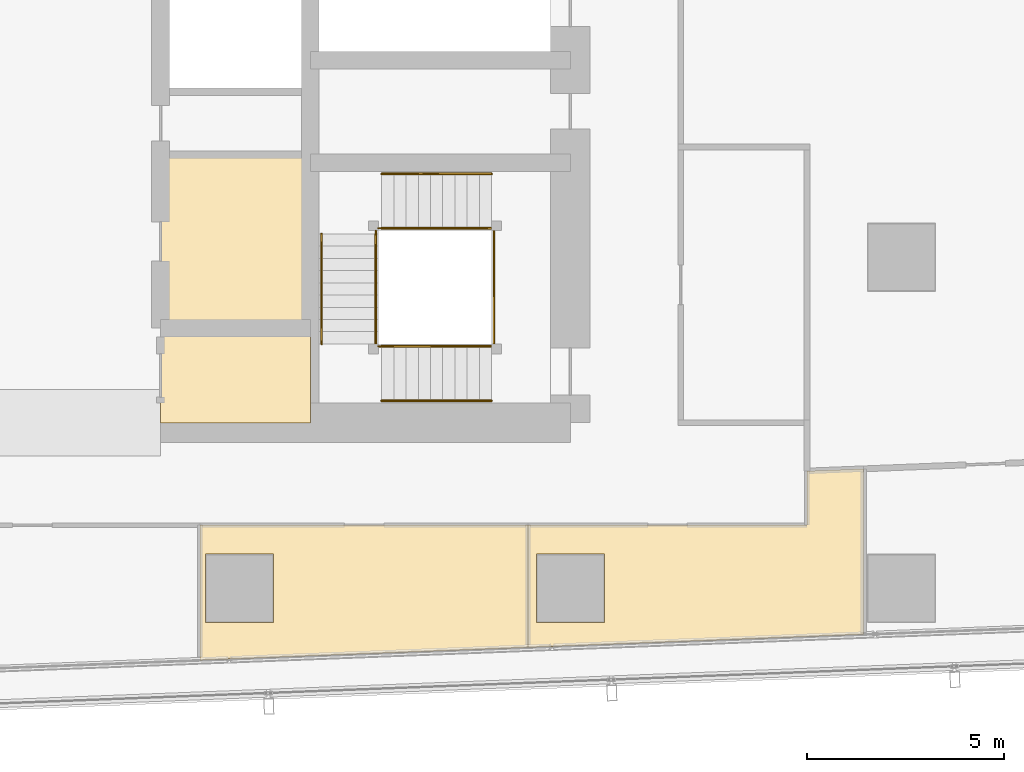
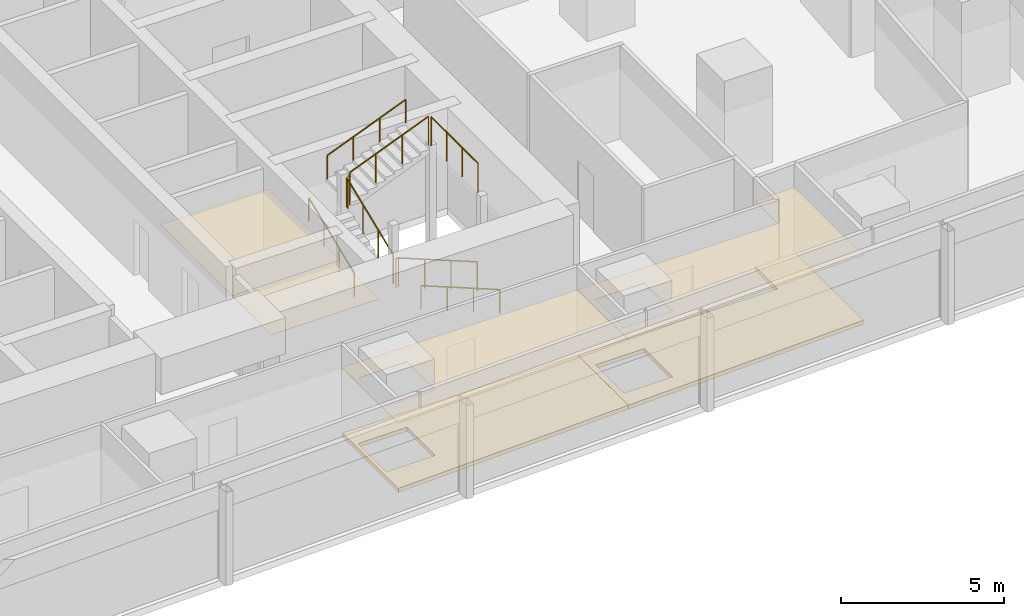
# One storey, part 37 of 40: 10 railings, 6 coverings.
"""IFC4 building model written with IfcOpenShell, lengths in metres."""

from ifc_helpers import new_model, si_unit, direction, frame, origin, origin_2d, place, context, subcontext, project, spatial, polyline, circle, outline, extrude, material, layer, layer_set, type_object, element, save


model = new_model("IFC4")

# Units and contexts
model_context = context("Model", 3, precision=1e-05, world=origin(), true_north=direction((0.0, 1.0)))
body_context = subcontext(model_context, "Body", "Model", "MODEL_VIEW")
ifc_project = project(units=[si_unit("LENGTHUNIT", "METRE"), si_unit("AREAUNIT", "SQUARE_METRE"), si_unit("VOLUMEUNIT", "CUBIC_METRE"), si_unit("PLANEANGLEUNIT", "RADIAN"), si_unit("MASSUNIT", "GRAM", prefix="KILO")], contexts=[model_context])

# Site, building, storey
site_placement = place(None, origin())
site = spatial("IfcSite", under=ifc_project, at=site_placement, CompositionType="ELEMENT")
building_placement = place(site_placement, origin())
building = spatial("IfcBuilding", under=site, at=building_placement, Name="Rekha Terrace Tower", CompositionType="ELEMENT")
storey_placement = place(building_placement, frame((0.0, 0.0, 121.550048828125)))
storey = spatial("IfcBuildingStorey", under=building, at=storey_placement, Name="L30", CompositionType="ELEMENT", Elevation=121.550048828125)

# Coverings
ifc_material_1 = material(Name="Mineral fibre tile in exposed grid", Category="finish")
ifc_layer_1 = layer(ifc_material_1, 0.02001953125)
ifc_layer_set_1 = layer_set([ifc_layer_1], Name="Mineral fibre tile in exposed grid")
covering_type_1 = type_object("IfcCoveringType", Name="CL1 600x1200 office grid ceiling", PredefinedType="CEILING", material=ifc_layer_set_1)
covering_1_placement = place(storey_placement, frame((0.0, 0.0, 2.579833984375)))
element("IfcCovering", 1, at=covering_1_placement, inside=storey, type_object=covering_type_1, Name="Ceiling L30-16", PredefinedType="CEILING", context=body_context, shape_type="SweptSolid", body=[
    extrude(outline(polyline([(41.001953125, 18.39990234375), (41.001953125, 14.970947265625), (49.3291015625, 15.294921875), (49.3291015625, 18.39990234375), (41.001953125, 18.39990234375)]), holes=[polyline([(42.864990234375, 17.6650390625), (42.864990234375, 15.93505859375), (41.135009765625, 15.93505859375), (41.135009765625, 17.6650390625), (42.864990234375, 17.6650390625)])]), origin(), (0.0, 0.0, 1.0), 0.02001953125),
])
covering_2_placement = place(storey_placement, frame((0.0, 0.0, 2.579833984375)))
element("IfcCovering", 2, at=covering_2_placement, inside=storey, type_object=covering_type_1, Name="Ceiling L30-17", PredefinedType="CEILING", context=body_context, shape_type="SweptSolid", body=[
    extrude(outline(polyline([(57.8359375, 15.6259765625), (57.8359375, 19.830078125), (56.39990234375, 19.77392578125), (56.39990234375, 18.39990234375), (49.330078125, 18.39990234375), (49.330078125, 15.294921875), (57.8359375, 15.6259765625)]), holes=[polyline([(51.264892578125, 15.93505859375), (49.534912109375, 15.93505859375), (49.534912109375, 17.6650390625), (51.264892578125, 17.6650390625), (51.264892578125, 15.93505859375)])]), origin(), (0.0, 0.0, 1.0), 0.02001953125),
])
ifc_material_2 = material(Name="Fibre cement board", Category="finish")
ifc_layer_2 = layer(ifc_material_2, 0.014892578125)
ifc_layer_set_2 = layer_set([ifc_layer_2], Name="Fibre cement board")
covering_type_2 = type_object("IfcCoveringType", Name="CL2 moisture-resistant board ceiling", PredefinedType="CEILING", material=ifc_layer_set_2)
covering_3_placement = place(storey_placement, frame((0.0, 0.0, 2.5849609375)))
element("IfcCovering", 3, at=covering_3_placement, inside=storey, type_object=covering_type_2, Name="Ceiling L30-WCA", PredefinedType="CEILING", context=body_context, shape_type="SweptSolid", body=[
    extrude(outline(polyline([(43.800048828125, 23.39990234375), (40.0, 23.39990234375), (40.0, 21.0), (43.800048828125, 21.0), (43.800048828125, 23.39990234375)])), origin(), (0.0, 0.0, 1.0), 0.014892578125),
])
covering_4_placement = place(storey_placement, frame((0.0, 0.0, 2.5849609375)))
element("IfcCovering", 4, at=covering_4_placement, inside=storey, type_object=covering_type_2, Name="Ceiling L30-FSE1", PredefinedType="CEILING", context=body_context, shape_type="SweptSolid", body=[
    extrude(outline(polyline([(43.800048828125, 27.800048828125), (40.0, 27.800048828125), (40.0, 23.39990234375), (43.800048828125, 23.39990234375), (43.800048828125, 27.800048828125)])), origin(), (0.0, 0.0, 1.0), 0.014892578125),
])

# Railings
ifc_material_3 = material(Name="Stainless steel balustrade", Category="steel")
railing_type_1 = type_object("IfcRailingType", Name="GR1 1100 stair guard", PredefinedType="GUARDRAIL", material=ifc_material_3)
railing_1_placement = place(storey_placement, frame((48.39990234375, 22.93994140625, 0.125)))
element("IfcRailing", 5, at=railing_1_placement, inside=storey, type_object=railing_type_1, Name="Guard ST3 L30 flight 1", PredefinedType="GUARDRAIL", context=body_context, shape_type="SweptSolid", body=[
    extrude(circle(Radius=0.02392578125, at=origin_2d()), frame((0.0, 0.0, 1.076171875), z_axis=(-0.927431937212, 0.0, 0.373991980981), x_axis=(0.0, -1.0, 0.0)), (0.0, 0.0, 1.0), 3.008056640625),
    extrude(circle(Radius=0.02099609375, at=origin_2d()), origin(), (0.0, 0.0, 1.0), 1.052001953125),
    extrude(circle(Radius=0.02099609375, at=origin_2d()), frame((-0.929931640625, 0.0, 0.375)), (0.0, 0.0, 1.0), 1.052001953125),
    extrude(circle(Radius=0.02099609375, at=origin_2d()), frame((-1.85986328125, 0.0, 0.75)), (0.0, 0.0, 1.0), 1.052001953125),
    extrude(circle(Radius=0.02099609375, at=origin_2d()), frame((-2.789794921875, 0.0, 1.125)), (0.0, 0.0, 1.0), 1.052001953125),
])
railing_2_placement = place(storey_placement, frame((45.465087890625, 23.0, 1.375)))
element("IfcRailing", 6, at=railing_2_placement, inside=storey, type_object=railing_type_1, Name="Guard ST3 L30 flight 2", PredefinedType="GUARDRAIL", context=body_context, shape_type="SweptSolid", body=[
    extrude(circle(Radius=0.02392578125, at=origin_2d()), frame((0.0, 0.0, 1.076171875), z_axis=(0.0, 0.927443287984, 0.373963831907), x_axis=(-1.0, 0.0, 0.0)), (0.0, 0.0, 1.0), 3.00830078125),
    extrude(circle(Radius=0.02099609375, at=origin_2d()), origin(), (0.0, 0.0, 1.0), 1.052001953125),
    extrude(circle(Radius=0.02099609375, at=origin_2d()), frame((0.0, 0.929931640625, 0.375)), (0.0, 0.0, 1.0), 1.052001953125),
    extrude(circle(Radius=0.02099609375, at=origin_2d()), frame((0.0, 1.860107421875, 0.75)), (0.0, 0.0, 1.0), 1.052001953125),
    extrude(circle(Radius=0.02099609375, at=origin_2d()), frame((0.0, 2.7900390625, 1.125)), (0.0, 0.0, 1.0), 1.052001953125),
])
railing_3_placement = place(storey_placement, frame((45.610107421875, 25.93505859375, 2.625)))
element("IfcRailing", 7, at=railing_3_placement, inside=storey, type_object=railing_type_1, Name="Guard ST3 L30 flight 3", PredefinedType="GUARDRAIL", context=body_context, shape_type="SweptSolid", body=[
    extrude(circle(Radius=0.02392578125, at=origin_2d()), frame((0.0, 0.0, 1.076171875), z_axis=(0.927431937212, 0.0, 0.373991980981), x_axis=(0.0, 1.0, 0.0)), (0.0, 0.0, 1.0), 3.008056640625),
    extrude(circle(Radius=0.02099609375, at=origin_2d()), origin(), (0.0, 0.0, 1.0), 1.052001953125),
    extrude(circle(Radius=0.02099609375, at=origin_2d()), frame((0.929931640625, 0.0, 0.375)), (0.0, 0.0, 1.0), 1.052001953125),
    extrude(circle(Radius=0.02099609375, at=origin_2d()), frame((1.85986328125, 0.0, 0.75)), (0.0, 0.0, 1.0), 1.052001953125),
    extrude(circle(Radius=0.02099609375, at=origin_2d()), frame((2.789794921875, 0.0, 1.125)), (0.0, 0.0, 1.0), 1.052001953125),
])
railing_4_placement = place(storey_placement, frame((45.610107421875, 22.93994140625, 1.25)))
element("IfcRailing", 8, at=railing_4_placement, inside=storey, type_object=railing_type_1, Name="Guard ST3 L30 landing 1", PredefinedType="GUARDRAIL", context=body_context, shape_type="SweptSolid", body=[
    extrude(circle(Radius=0.02392578125, at=origin_2d()), frame((0.0, 0.0, 1.076171875), z_axis=(-1.0, 0.0, 0.0), x_axis=(0.0, -1.0, 0.0)), (0.0, 0.0, 1.0), 0.085205078125),
    extrude(circle(Radius=0.02099609375, at=origin_2d()), origin(), (0.0, 0.0, 1.0), 1.052001953125),
    extrude(circle(Radius=0.02099609375, at=origin_2d()), frame((-0.085205078125, 0.0, 0.0)), (0.0, 0.0, 1.0), 1.052001953125),
])
railing_5_placement = place(storey_placement, frame((45.465087890625, 25.7900390625, 2.5)))
element("IfcRailing", 9, at=railing_5_placement, inside=storey, type_object=railing_type_1, Name="Guard ST3 L30 landing 2", PredefinedType="GUARDRAIL", context=body_context, shape_type="SweptSolid", body=[
    extrude(circle(Radius=0.02392578125, at=origin_2d()), frame((0.0, 0.0, 1.076171875), z_axis=(0.0, 1.0, 0.0), x_axis=(-1.0, 0.0, 0.0)), (0.0, 0.0, 1.0), 0.0849609375),
    extrude(circle(Radius=0.02099609375, at=origin_2d()), origin(), (0.0, 0.0, 1.0), 1.052001953125),
    extrude(circle(Radius=0.02099609375, at=origin_2d()), frame((0.0, 0.0849609375, 0.0)), (0.0, 0.0, 1.0), 1.052001953125),
])
railing_6_placement = place(storey_placement, frame((45.610107421875, 25.93505859375, 2.5)))
element("IfcRailing", 10, at=railing_6_placement, inside=storey, type_object=railing_type_1, Name="Guard ST3 L30 landing 3", PredefinedType="GUARDRAIL", context=body_context, shape_type="SweptSolid", body=[
    extrude(circle(Radius=0.02392578125, at=origin_2d()), frame((0.0, 0.0, 1.076171875), z_axis=(-1.0, 0.0, 0.0), x_axis=(0.0, -1.0, 0.0)), (0.0, 0.0, 1.0), 0.085205078125),
    extrude(circle(Radius=0.02099609375, at=origin_2d()), origin(), (0.0, 0.0, 1.0), 1.052001953125),
    extrude(circle(Radius=0.02099609375, at=origin_2d()), frame((-0.085205078125, 0.0, 0.0)), (0.0, 0.0, 1.0), 1.052001953125),
])
railing_7_placement = place(storey_placement, frame((48.4599609375, 23.0, 3.75)))
element("IfcRailing", 11, at=railing_7_placement, inside=storey, type_object=railing_type_1, Name="Guard ST3 L30 landing 4", PredefinedType="GUARDRAIL", context=body_context, shape_type="SweptSolid", body=[
    extrude(circle(Radius=0.02392578125, at=origin_2d()), frame((0.0, 0.0, 1.076171875), z_axis=(0.0, 1.0, 0.0), x_axis=(-1.0, 0.0, 0.0)), (0.0, 0.0, 1.0), 2.875),
    extrude(circle(Radius=0.02099609375, at=origin_2d()), origin(), (0.0, 0.0, 1.0), 1.052001953125),
    extrude(circle(Radius=0.02099609375, at=origin_2d()), frame((0.0, 0.958251953125, 0.0)), (0.0, 0.0, 1.0), 1.052001953125),
    extrude(circle(Radius=0.02099609375, at=origin_2d()), frame((0.0, 1.916748046875, 0.0)), (0.0, 0.0, 1.0), 1.052001953125),
    extrude(circle(Radius=0.02099609375, at=origin_2d()), frame((0.0, 2.875, 0.0)), (0.0, 0.0, 1.0), 1.052001953125),
])
ifc_material_4 = material(Name="Stainless steel tube", Category="steel")
railing_type_2 = type_object("IfcRailingType", Name="HR1 900 stair handrail", PredefinedType="HANDRAIL", material=ifc_material_4)
railing_8_placement = place(storey_placement, frame((48.39990234375, 21.56005859375, 0.125)))
element("IfcRailing", 12, at=railing_8_placement, inside=storey, type_object=railing_type_2, Name="Handrail ST3 L30 flight 1", PredefinedType="HANDRAIL", context=body_context, shape_type="SweptSolid", body=[
    extrude(circle(Radius=0.02392578125, at=origin_2d()), frame((0.0, 0.0, 0.8759765625), z_axis=(-0.927431937212, 0.0, 0.373991980981), x_axis=(0.0, -1.0, 0.0)), (0.0, 0.0, 1.0), 3.008056640625),
    extrude(circle(Radius=0.02099609375, at=origin_2d()), origin(), (0.0, 0.0, 1.0), 0.851806640625),
    extrude(circle(Radius=0.02099609375, at=origin_2d()), frame((-0.929931640625, 0.0, 0.375)), (0.0, 0.0, 1.0), 0.851806640625),
    extrude(circle(Radius=0.02099609375, at=origin_2d()), frame((-1.85986328125, 0.0, 0.75)), (0.0, 0.0, 1.0), 0.851806640625),
    extrude(circle(Radius=0.02099609375, at=origin_2d()), frame((-2.789794921875, 0.0, 1.125)), (0.0, 0.0, 1.0), 0.851806640625),
])
railing_9_placement = place(storey_placement, frame((44.0849609375, 23.0, 1.375)))
element("IfcRailing", 13, at=railing_9_placement, inside=storey, type_object=railing_type_2, Name="Handrail ST3 L30 flight 2", PredefinedType="HANDRAIL", context=body_context, shape_type="SweptSolid", body=[
    extrude(circle(Radius=0.02392578125, at=origin_2d()), frame((0.0, 0.0, 0.8759765625), z_axis=(0.0, 0.927443287984, 0.373963831907), x_axis=(-1.0, 0.0, 0.0)), (0.0, 0.0, 1.0), 3.00830078125),
    extrude(circle(Radius=0.02099609375, at=origin_2d()), origin(), (0.0, 0.0, 1.0), 0.851806640625),
    extrude(circle(Radius=0.02099609375, at=origin_2d()), frame((0.0, 0.929931640625, 0.375)), (0.0, 0.0, 1.0), 0.851806640625),
    extrude(circle(Radius=0.02099609375, at=origin_2d()), frame((0.0, 1.860107421875, 0.75)), (0.0, 0.0, 1.0), 0.851806640625),
    extrude(circle(Radius=0.02099609375, at=origin_2d()), frame((0.0, 2.7900390625, 1.125)), (0.0, 0.0, 1.0), 0.851806640625),
])
railing_10_placement = place(storey_placement, frame((45.610107421875, 27.31494140625, 2.625)))
element("IfcRailing", 14, at=railing_10_placement, inside=storey, type_object=railing_type_2, Name="Handrail ST3 L30 flight 3", PredefinedType="HANDRAIL", context=body_context, shape_type="SweptSolid", body=[
    extrude(circle(Radius=0.02392578125, at=origin_2d()), frame((0.0, 0.0, 0.8759765625), z_axis=(0.927431937212, 0.0, 0.373991980981), x_axis=(0.0, 1.0, 0.0)), (0.0, 0.0, 1.0), 3.008056640625),
    extrude(circle(Radius=0.02099609375, at=origin_2d()), origin(), (0.0, 0.0, 1.0), 0.851806640625),
    extrude(circle(Radius=0.02099609375, at=origin_2d()), frame((0.929931640625, 0.0, 0.375)), (0.0, 0.0, 1.0), 0.851806640625),
    extrude(circle(Radius=0.02099609375, at=origin_2d()), frame((1.85986328125, 0.0, 0.75)), (0.0, 0.0, 1.0), 0.851806640625),
    extrude(circle(Radius=0.02099609375, at=origin_2d()), frame((2.789794921875, 0.0, 1.125)), (0.0, 0.0, 1.0), 0.851806640625),
])

# Coverings
ifc_material_5 = material(Name="Calcium sulphate panels on steel pedestals", Category="steel")
ifc_layer_3 = layer(ifc_material_5, 0.14990234375)
ifc_layer_set_3 = layer_set([ifc_layer_3], Name="Calcium sulphate panels on steel pedestals")
covering_type_3 = type_object("IfcCoveringType", Name="RF1 150 raised access floor", PredefinedType="FLOORING", material=ifc_layer_set_3)
covering_5_placement = place(storey_placement, origin())
element("IfcCovering", 15, at=covering_5_placement, inside=storey, type_object=covering_type_3, Name="Raised floor L30-16", PredefinedType="FLOORING", context=body_context, shape_type="SweptSolid", body=[
    extrude(outline(polyline([(41.001953125, 18.39990234375), (41.001953125, 14.970947265625), (49.3291015625, 15.294921875), (49.3291015625, 18.39990234375), (41.001953125, 18.39990234375)]), holes=[polyline([(42.864990234375, 17.6650390625), (42.864990234375, 15.93505859375), (41.135009765625, 15.93505859375), (41.135009765625, 17.6650390625), (42.864990234375, 17.6650390625)])]), origin(), (0.0, 0.0, 1.0), 0.14990234375),
])
covering_6_placement = place(storey_placement, origin())
element("IfcCovering", 16, at=covering_6_placement, inside=storey, type_object=covering_type_3, Name="Raised floor L30-17", PredefinedType="FLOORING", context=body_context, shape_type="SweptSolid", body=[
    extrude(outline(polyline([(57.8359375, 15.6259765625), (57.8359375, 19.830078125), (56.39990234375, 19.77392578125), (56.39990234375, 18.39990234375), (49.330078125, 18.39990234375), (49.330078125, 15.294921875), (57.8359375, 15.6259765625)]), holes=[polyline([(51.264892578125, 15.93505859375), (49.534912109375, 15.93505859375), (49.534912109375, 17.6650390625), (51.264892578125, 17.6650390625), (51.264892578125, 15.93505859375)])]), origin(), (0.0, 0.0, 1.0), 0.14990234375),
])

save(model, "model.ifc")
